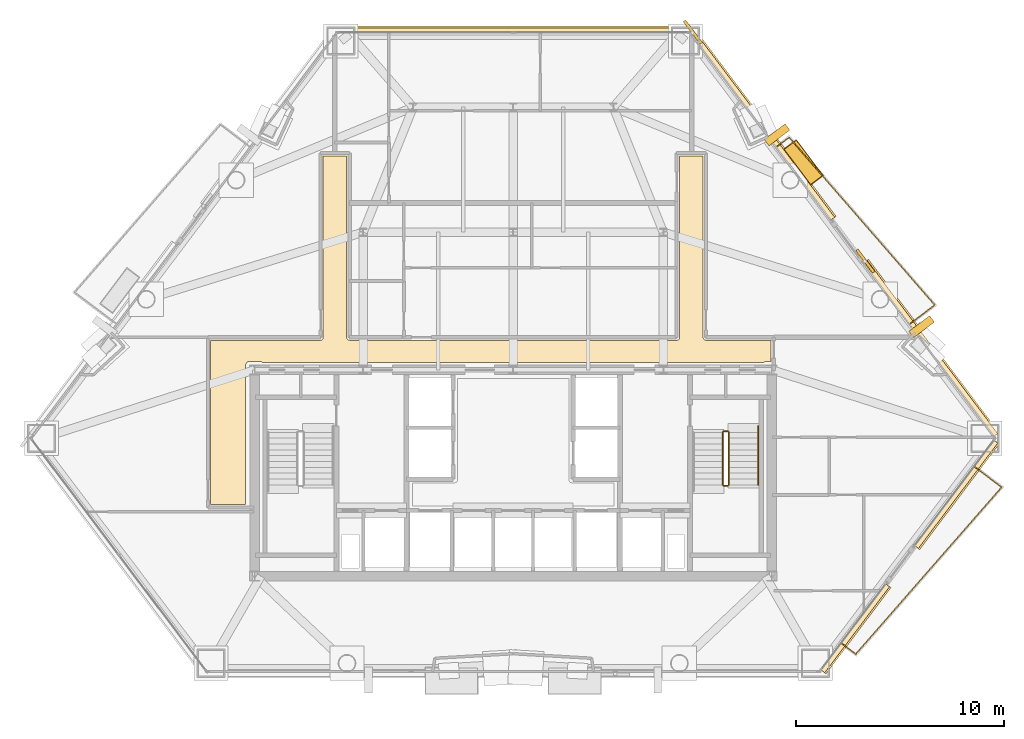
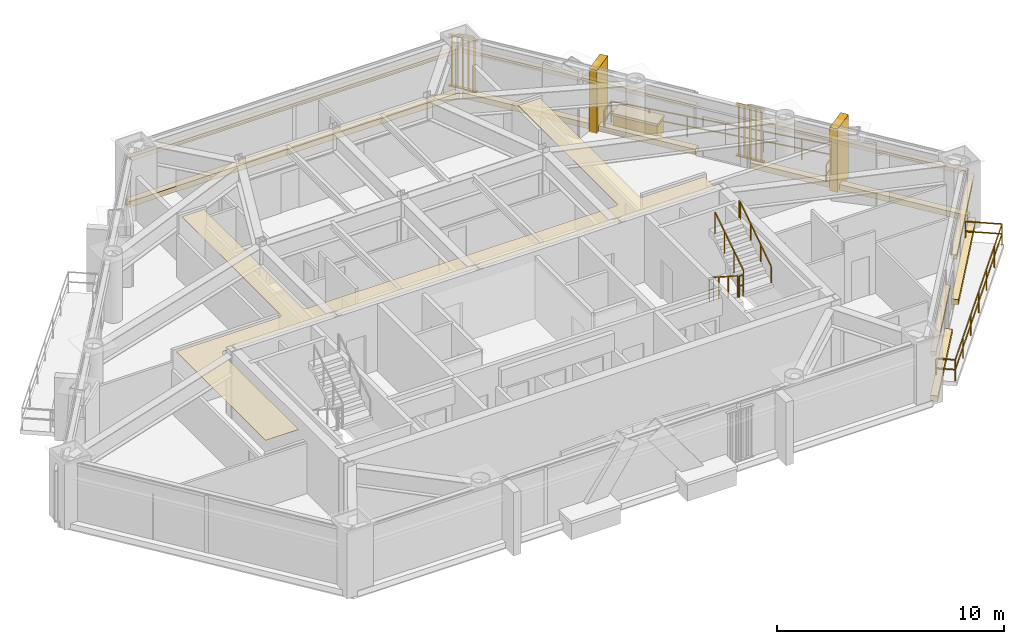
# One storey, part 11 of 11: 15 coverings, 7 railings, 2 shading devices.
"""IFC4 building model written with IfcOpenShell, lengths in metres."""

from ifc_helpers import new_model, si_unit, direction, frame, origin, origin_2d, place, context, subcontext, project, spatial, polyline, rectangle, outline, extrude, source, transform, mapped, material, layer, layer_set, type_object, type_shapes, element, save


model = new_model("IFC4")

# Units and contexts
model_context = context("Model", 3, precision=1e-05, world=origin(), true_north=direction((0.0, 1.0)))
body_context = subcontext(model_context, "Body", "Model", "MODEL_VIEW")
ifc_project = project(units=[si_unit("LENGTHUNIT", "METRE"), si_unit("AREAUNIT", "SQUARE_METRE"), si_unit("VOLUMEUNIT", "CUBIC_METRE"), si_unit("PLANEANGLEUNIT", "RADIAN"), si_unit("MASSUNIT", "GRAM", prefix="KILO")], contexts=[model_context])

# Site, building, storey
site_placement = place(None, origin())
site = spatial("IfcSite", under=ifc_project, at=site_placement, CompositionType="ELEMENT")
building_placement = place(site_placement, origin())
building = spatial("IfcBuilding", under=site, at=building_placement, Name="Talgorran Terracotta Tower", CompositionType="ELEMENT")
storey_placement = place(building_placement, frame((0.0, 0.0, 35.10009765625)))
storey = spatial("IfcBuildingStorey", under=building, at=storey_placement, Name="L08", CompositionType="ELEMENT", Elevation=35.10009765625)

# Coverings
ifc_material_1 = material(Name="Kiln-Fired Terracotta Ochre Ceramic", Category="masonry")
ifc_layer_1 = layer(ifc_material_1, 0.179931640625, Name="COV_BAGUETTE_TERRACOTTA_SCREEN")
ifc_layer_set_1 = layer_set([ifc_layer_1], Name="Kiln-Fired Terracotta Ochre Ceramic")
covering_type_1 = type_object("IfcCoveringType", Name="COV_BAGUETTE_TERRACOTTA_SCREEN", PredefinedType="CLADDING", material=ifc_layer_set_1)
covering_1_placement = place(storey_placement, frame((16.395263671875, -16.590576171875, 2.41015625), z_axis=(0.0, 0.0, 1.0), x_axis=(0.601801084241, 0.798646013579, 0.0)))
element("IfcCovering", 1, at=covering_1_placement, inside=storey, type_object=covering_type_1, Name="L08 Terracotta Baguette Solar Screen Assembly F30", PredefinedType="CLADDING", context=body_context, shape_type="SweptSolid", body=[
    extrude(rectangle(XDim=5.163330078125, YDim=0.260009765625, at=origin_2d()), origin(), (0.0, 0.0, 1.0), 0.219970703125),
])
covering_2_placement = place(storey_placement, frame((21.237060546875, -10.1650390625, 2.41015625), z_axis=(0.0, 0.0, 1.0), x_axis=(0.601815023152, 0.798635510047, 0.0)))
element("IfcCovering", 2, at=covering_2_placement, inside=storey, type_object=covering_type_1, Name="L08 Terracotta Baguette Solar Screen Assembly F31", PredefinedType="CLADDING", context=body_context, shape_type="SweptSolid", body=[
    extrude(rectangle(XDim=6.327392578125, YDim=0.260009765625, at=origin_2d()), origin(), (0.0, 0.0, 1.0), 0.219970703125),
])
covering_3_placement = place(storey_placement, frame((20.010986328125, -3.188720703125, 2.41015625), z_axis=(0.0, 0.0, 1.0), x_axis=(-0.601801084241, 0.798646013579, 0.0)))
element("IfcCovering", 3, at=covering_3_placement, inside=storey, type_object=covering_type_1, Name="L08 Terracotta Baguette Solar Screen Assembly F40", PredefinedType="CLADDING", context=body_context, shape_type="SweptSolid", body=[
    extrude(rectangle(XDim=10.401611328125, YDim=0.260009765625, at=origin_2d()), origin(), (0.0, 0.0, 1.0), 0.219970703125),
])
covering_4_placement = place(storey_placement, frame((11.962646484375, 7.491943359375, 2.41015625), z_axis=(0.0, 0.0, 1.0), x_axis=(-0.601815023152, 0.798635510047, 0.0)))
element("IfcCovering", 4, at=covering_4_placement, inside=storey, type_object=covering_type_1, Name="L08 Terracotta Baguette Solar Screen Assembly F41", PredefinedType="CLADDING", context=body_context, shape_type="SweptSolid", body=[
    extrude(rectangle(XDim=11.14599609375, YDim=0.260009765625, at=origin_2d()), origin(), (0.0, 0.0, 1.0), 0.219970703125),
])
covering_5_placement = place(storey_placement, frame((0.0, 12.0703125, 2.41015625), z_axis=(0.0, 0.0, 1.0), x_axis=(-1.0, 0.0, 0.0)))
element("IfcCovering", 5, at=covering_5_placement, inside=storey, type_object=covering_type_1, Name="L08 Terracotta Baguette Solar Screen Assembly F4", PredefinedType="CLADDING", context=body_context, shape_type="SweptSolid", body=[
    extrude(rectangle(XDim=16.78515625, YDim=0.260009765625, at=origin_2d()), origin(), (0.0, 0.0, 1.0), 0.219970703125),
])
ifc_material_2 = material(Name="Mineral Fibre Acoustic Tile")
ifc_layer_2 = layer(ifc_material_2, 0.02490234375, Name="COV_CEIL_ACOUSTIC")
ifc_layer_set_2 = layer_set([ifc_layer_2], Name="Mineral Fibre Acoustic Tile")
covering_type_2 = type_object("IfcCoveringType", Name="COV_CEIL_ACOUSTIC", PredefinedType="CEILING", material=ifc_layer_set_2)
covering_6_placement = place(storey_placement, frame((0.0, 0.0, 3.260009765625)))
element("IfcCovering", 6, at=covering_6_placement, inside=storey, type_object=covering_type_2, Name="CEIL-L08-2", PredefinedType="CEILING", context=body_context, shape_type="SweptSolid", body=[
    extrude(outline(polyline([(-12.78857421875, -3.87841796875), (-12.79541015625, -3.884521484375), (-12.803466796875, -3.893310546875), (-12.810302734375, -3.90283203125), (-12.81640625, -3.9130859375), (-12.820556640625, -3.920654296875), (-12.82568359375, -3.931396484375), (-12.82958984375, -3.9423828125), (-12.83251953125, -3.953857421875), (-12.833984375, -3.96533203125), (-12.834716796875, -3.97705078125), (-12.8349609375, -10.6650390625), (-14.514892578125, -10.6650390625), (-14.514892578125, -2.784912109375), (-9.25, -2.784912109375), (-9.23828125, -2.784423828125), (-9.226806640625, -2.78271484375), (-9.21533203125, -2.77978515625), (-9.20703125, -2.77734375), (-9.196044921875, -2.7734375), (-9.185302734375, -2.768310546875), (-9.17529296875, -2.762451171875), (-9.165771484375, -2.75537109375), (-9.156982421875, -2.74755859375), (-9.149169921875, -2.73876953125), (-9.1435546875, -2.73193359375), (-9.136474609375, -2.722412109375), (-9.13037109375, -2.71240234375), (-9.125244140625, -2.70166015625), (-9.121337890625, -2.690673828125), (-9.118408203125, -2.67919921875), (-9.11669921875, -2.66748046875), (-9.1162109375, -2.65576171875), (-9.114990234375, 6.06494140625), (-7.985107421875, 6.06494140625), (-7.985107421875, -2.64990234375), (-7.984375, -2.66162109375), (-7.982666015625, -2.67333984375), (-7.97998046875, -2.6845703125), (-7.977294921875, -2.69287109375), (-7.973388671875, -2.7041015625), (-7.968505859375, -2.714599609375), (-7.96240234375, -2.724853515625), (-7.955322265625, -2.734375), (-7.947509765625, -2.742919921875), (-7.938720703125, -2.7509765625), (-7.931884765625, -2.756591796875), (-7.922607421875, -2.763671875), (-7.912353515625, -2.769775390625), (-7.901611328125, -2.774658203125), (-7.890625, -2.77880859375), (-7.879150390625, -2.781494140625), (-7.867431640625, -2.783203125), (-7.855712890625, -2.783935546875), (7.85009765625, -2.784912109375), (7.86181640625, -2.784423828125), (7.873291015625, -2.78271484375), (7.884521484375, -2.77978515625), (7.892822265625, -2.77734375), (7.904052734375, -2.7734375), (7.914794921875, -2.768310546875), (7.9248046875, -2.762451171875), (7.934326171875, -2.75537109375), (7.943115234375, -2.74755859375), (7.950927734375, -2.73876953125), (7.95654296875, -2.73193359375), (7.963623046875, -2.722412109375), (7.9697265625, -2.71240234375), (7.974609375, -2.70166015625), (7.978759765625, -2.690673828125), (7.981689453125, -2.67919921875), (7.9833984375, -2.66748046875), (7.98388671875, -2.65576171875), (7.985107421875, 6.06494140625), (9.114990234375, 6.06494140625), (9.114990234375, -2.64990234375), (9.115478515625, -2.66162109375), (9.1171875, -2.67333984375), (9.1201171875, -2.6845703125), (9.12255859375, -2.69287109375), (9.12646484375, -2.7041015625), (9.131591796875, -2.714599609375), (9.1376953125, -2.724853515625), (9.14453125, -2.734375), (9.152587890625, -2.742919921875), (9.1611328125, -2.7509765625), (9.16796875, -2.756591796875), (9.177490234375, -2.763671875), (9.1875, -2.769775390625), (9.1982421875, -2.774658203125), (9.20947265625, -2.77880859375), (9.220703125, -2.781494140625), (9.232421875, -2.783203125), (9.244384765625, -2.783935546875), (12.364990234375, -2.784912109375), (12.364990234375, -3.80908203125), (12.1201171875, -3.80908203125), (12.108154296875, -3.8095703125), (12.0966796875, -3.811279296875), (12.085205078125, -3.814208984375), (12.07421875, -3.818115234375), (12.0634765625, -3.8232421875), (12.05322265625, -3.8291015625), (12.0439453125, -3.836181640625), (12.03515625, -3.843994140625), (12.034423828125, -3.844970703125), (7.432861328125, -3.844970703125), (6.968017578125, -3.843017578125), (6.967529296875, -3.843017578125), (0.232666015625, -3.844970703125), (-0.23193359375, -3.843017578125), (-0.232421875, -3.843017578125), (-6.96728515625, -3.844970703125), (-7.431884765625, -3.843017578125), (-7.4326171875, -3.843017578125), (-12.034423828125, -3.844970703125), (-12.03515625, -3.843994140625), (-12.0439453125, -3.836181640625), (-12.05322265625, -3.8291015625), (-12.0634765625, -3.8232421875), (-12.07421875, -3.818115234375), (-12.085205078125, -3.814208984375), (-12.0966796875, -3.811279296875), (-12.108154296875, -3.8095703125), (-12.1201171875, -3.80908203125), (-12.679931640625, -3.80908203125), (-12.69189453125, -3.8095703125), (-12.703369140625, -3.811279296875), (-12.71484375, -3.814208984375), (-12.725830078125, -3.818115234375), (-12.736572265625, -3.8232421875), (-12.74658203125, -3.8291015625), (-12.756103515625, -3.836181640625), (-12.764892578125, -3.843994140625), (-12.772705078125, -3.852783203125), (-12.77978515625, -3.8623046875), (-12.785888671875, -3.872314453125), (-12.78857421875, -3.87841796875)])), origin(), (0.0, 0.0, 1.0), 0.019775390625),
])
ifc_material_3 = material(Name="Honed Limestone and Terracotta Planter", Category="masonry")
ifc_layer_3 = layer(ifc_material_3, 0.1201171875, Name="COV_PLANTER_BOX")
ifc_layer_set_3 = layer_set([ifc_layer_3], Name="Honed Limestone and Terracotta Planter")
covering_type_3 = type_object("IfcCoveringType", Name="COV_PLANTER_BOX", PredefinedType="CLADDING", material=ifc_layer_set_3)
covering_7_placement = place(storey_placement, frame((13.925048828125, 5.75, -0.02001953125), z_axis=(0.0, 0.0, 1.0), x_axis=(-0.601815023152, 0.798635510047, 0.0)))
element("IfcCovering", 7, at=covering_7_placement, inside=storey, type_object=covering_type_3, Name="L08 Staggered Balcony Planter Box BAL-NE", PredefinedType="CLADDING", context=body_context, shape_type="SweptSolid", body=[
    extrude(rectangle(XDim=2.10009765625, YDim=0.719970703125, at=origin_2d()), origin(), (0.0, 0.0, 1.0), 0.860107421875),
])
ifc_material_4 = material(Name="Kiln-Fired Terracotta Planter Rim", Category="masonry")
ifc_layer_4 = layer(ifc_material_4, 0.10009765625, Name="COV_PLANTER_RIM")
ifc_layer_set_4 = layer_set([ifc_layer_4], Name="Kiln-Fired Terracotta Planter Rim")
covering_type_4 = type_object("IfcCoveringType", Name="COV_PLANTER_RIM", PredefinedType="CLADDING", material=ifc_layer_set_4)
covering_8_placement = place(storey_placement, frame((13.925048828125, 5.75, 0.7998046875), z_axis=(0.0, 0.0, 1.0), x_axis=(-0.601815023152, 0.798635510047, 0.0)))
element("IfcCovering", 8, at=covering_8_placement, inside=storey, type_object=covering_type_4, Name="L08 Balcony Planter Terracotta Rim BAL-NE", PredefinedType="CLADDING", context=body_context, shape_type="SweptSolid", body=[
    extrude(rectangle(XDim=2.179931640625, YDim=0.780029296875, at=origin_2d()), origin(), (0.0, 0.0, 1.0), 0.1201171875),
])
ifc_material_5 = material(Name="Honed Limestone Cladding", Category="masonry")
ifc_layer_5 = layer(ifc_material_5, 0.094970703125, Name="COV_PORTAL_LIME")
ifc_layer_set_5 = layer_set([ifc_layer_5], Name="Honed Limestone Cladding")
covering_type_5 = type_object("IfcCoveringType", Name="COV_PORTAL_LIME", PredefinedType="CLADDING", material=ifc_layer_set_5)
covering_9_placement = place(storey_placement, frame((16.427001953125, -16.614501953125, -0.0400390625), z_axis=(0.0, 0.0, 1.0), x_axis=(0.601801084241, 0.798646013579, 0.0)))
element("IfcCovering", 9, at=covering_9_placement, inside=storey, type_object=covering_type_5, Name="L08 Striped Postmodern Portal Cladding Band F30", PredefinedType="CLADDING", context=body_context, shape_type="SweptSolid", body=[
    extrude(rectangle(XDim=5.183349609375, YDim=0.340087890625, at=origin_2d()), origin(), (0.0, 0.0, 1.0), 0.300048828125),
])
covering_10_placement = place(storey_placement, frame((21.268798828125, -10.189208984375, -0.0400390625), z_axis=(0.0, 0.0, 1.0), x_axis=(0.601815023152, 0.798635510047, 0.0)))
element("IfcCovering", 10, at=covering_10_placement, inside=storey, type_object=covering_type_5, Name="L08 Striped Postmodern Portal Cladding Band F31", PredefinedType="CLADDING", context=body_context, shape_type="SweptSolid", body=[
    extrude(rectangle(XDim=6.347412109375, YDim=0.340087890625, at=origin_2d()), origin(), (0.0, 0.0, 1.0), 0.300048828125),
])
covering_11_placement = place(storey_placement, frame((20.04296875, -3.164794921875, -0.0400390625), z_axis=(0.0, 0.0, 1.0), x_axis=(-0.601801084241, 0.798646013579, 0.0)))
element("IfcCovering", 11, at=covering_11_placement, inside=storey, type_object=covering_type_5, Name="L08 Striped Postmodern Portal Cladding Band F40", PredefinedType="CLADDING", context=body_context, shape_type="SweptSolid", body=[
    extrude(rectangle(XDim=10.421630859375, YDim=0.340087890625, at=origin_2d()), origin(), (0.0, 0.0, 1.0), 0.300048828125),
])
covering_12_placement = place(storey_placement, frame((11.994384765625, 7.51611328125, -0.0400390625), z_axis=(0.0, 0.0, 1.0), x_axis=(-0.601815023152, 0.798635510047, 0.0)))
element("IfcCovering", 12, at=covering_12_placement, inside=storey, type_object=covering_type_5, Name="L08 Striped Postmodern Portal Cladding Band F41", PredefinedType="CLADDING", context=body_context, shape_type="SweptSolid", body=[
    extrude(rectangle(XDim=11.166015625, YDim=0.340087890625, at=origin_2d()), origin(), (0.0, 0.0, 1.0), 0.300048828125),
])
covering_13_placement = place(storey_placement, frame((0.0, 12.1103515625, -0.0400390625), z_axis=(0.0, 0.0, 1.0), x_axis=(-1.0, 0.0, 0.0)))
element("IfcCovering", 13, at=covering_13_placement, inside=storey, type_object=covering_type_5, Name="L08 Striped Postmodern Portal Cladding Band F4", PredefinedType="CLADDING", context=body_context, shape_type="SweptSolid", body=[
    extrude(rectangle(XDim=16.80517578125, YDim=0.340087890625, at=origin_2d()), origin(), (0.0, 0.0, 1.0), 0.300048828125),
])
covering_14_placement = place(storey_placement, frame((12.656005859375, 7.070068359375, -0.050048828125), z_axis=(0.0, 0.0, 1.0), x_axis=(-0.601815023152, 0.798635510047, 0.0)))
element("IfcCovering", 14, at=covering_14_placement, inside=storey, type_object=covering_type_5, Name="L08 White Striped Portal Fin F3-2", PredefinedType="CLADDING", context=body_context, shape_type="SweptSolid", body=[
    extrude(rectangle(XDim=0.3798828125, YDim=1.25, at=origin_2d()), origin(), (0.0, 0.0, 1.0), 3.39990234375),
])
ifc_material_6 = material(Name="Kiln-Fired Terracotta Cladding", Category="masonry")
ifc_layer_6 = layer(ifc_material_6, 0.090087890625, Name="COV_PORTAL_TERRA")
ifc_layer_set_6 = layer_set([ifc_layer_6], Name="Kiln-Fired Terracotta Cladding")
covering_type_6 = type_object("IfcCoveringType", Name="COV_PORTAL_TERRA", PredefinedType="CLADDING", material=ifc_layer_set_6)
covering_15_placement = place(storey_placement, frame((19.591064453125, -2.133056640625, -0.050048828125), z_axis=(0.0, 0.0, 1.0), x_axis=(-0.601815023152, 0.798635510047, 0.0)))
element("IfcCovering", 15, at=covering_15_placement, inside=storey, type_object=covering_type_6, Name="L08 Terracotta Striped Portal Fin F3-1", PredefinedType="CLADDING", context=body_context, shape_type="SweptSolid", body=[
    extrude(rectangle(XDim=0.3798828125, YDim=1.25, at=origin_2d()), origin(), (0.0, 0.0, 1.0), 3.39990234375),
])

# Railings
ifc_material_7 = material(Name="Laminated Glass and Stainless Steel 316", Category="steel")
railing_type_1 = type_object("IfcRailingType", Name="RL_BALCONY_1150", PredefinedType="BALUSTRADE", material=ifc_material_7)
railing_1_placement = place(storey_placement, frame((19.01806640625, -2.004150390625, 0.0)))
element("IfcRailing", 16, at=railing_1_placement, inside=storey, type_object=railing_type_1, Name="RL-L08-BAL-BAL-NE", PredefinedType="BALUSTRADE", context=body_context, shape_type="SweptSolid", body=[
    extrude(rectangle(XDim=0.048095703125, YDim=0.048095703125, at=origin_2d()), frame((0.0, 0.0, 1.1259765625), z_axis=(0.798580801759, 0.601887616638, 0.0), x_axis=(-0.601887616638, 0.798580801759, 0.0)), (0.0, 0.0, 1.0), 1.50927734375),
    extrude(rectangle(XDim=0.048095703125, YDim=0.048095703125, at=origin_2d()), frame((0.0, 0.0, 0.597900390625), z_axis=(0.798580801759, 0.601887616638, 0.0), x_axis=(-0.601887616638, 0.798580801759, 0.0)), (0.0, 0.0, 1.0), 1.50927734375),
    extrude(rectangle(XDim=0.048095703125, YDim=0.048095703125, at=origin_2d()), frame((1.205322265625, 0.908447265625, 1.1259765625), z_axis=(-0.655872284284, 0.754871874365, 0.0), x_axis=(-0.754871874365, -0.655872284284, 0.0)), (0.0, 0.0, 1.0), 10.653564453125),
    extrude(rectangle(XDim=0.048095703125, YDim=0.048095703125, at=origin_2d()), frame((1.205322265625, 0.908447265625, 0.597900390625), z_axis=(-0.655872284284, 0.754871874365, 0.0), x_axis=(-0.754871874365, -0.655872284284, 0.0)), (0.0, 0.0, 1.0), 10.653564453125),
    extrude(rectangle(XDim=0.048095703125, YDim=0.048095703125, at=origin_2d()), frame((-5.781982421875, 8.950439453125, 1.1259765625), z_axis=(-0.798664269991, -0.60177685552, 0.0), x_axis=(0.60177685552, -0.798664269991, 0.0)), (0.0, 0.0, 1.0), 0.768798828125),
    extrude(rectangle(XDim=0.048095703125, YDim=0.048095703125, at=origin_2d()), frame((-5.781982421875, 8.950439453125, 0.597900390625), z_axis=(-0.798664269991, -0.60177685552, 0.0), x_axis=(0.60177685552, -0.798664269991, 0.0)), (0.0, 0.0, 1.0), 0.768798828125),
    extrude(rectangle(XDim=0.0419921875, YDim=0.0419921875, at=origin_2d()), origin(), (0.0, 0.0, 1.0), 1.101806640625),
    extrude(rectangle(XDim=0.0419921875, YDim=0.0419921875, at=origin_2d()), frame((1.205322265625, 0.908447265625, 0.0)), (0.0, 0.0, 1.0), 1.101806640625),
    extrude(rectangle(XDim=0.0419921875, YDim=0.0419921875, at=origin_2d()), frame((0.040771484375, 2.248779296875, 0.0)), (0.0, 0.0, 1.0), 1.101806640625),
    extrude(rectangle(XDim=0.0419921875, YDim=0.0419921875, at=origin_2d()), frame((-1.123779296875, 3.589111328125, 0.0)), (0.0, 0.0, 1.0), 1.101806640625),
    extrude(rectangle(XDim=0.0419921875, YDim=0.0419921875, at=origin_2d()), frame((-2.288330078125, 4.929443359375, 0.0)), (0.0, 0.0, 1.0), 1.101806640625),
    extrude(rectangle(XDim=0.0419921875, YDim=0.0419921875, at=origin_2d()), frame((-3.452880859375, 6.269775390625, 0.0)), (0.0, 0.0, 1.0), 1.101806640625),
    extrude(rectangle(XDim=0.0419921875, YDim=0.0419921875, at=origin_2d()), frame((-4.617431640625, 7.610107421875, 0.0)), (0.0, 0.0, 1.0), 1.101806640625),
    extrude(rectangle(XDim=0.0419921875, YDim=0.0419921875, at=origin_2d()), frame((-5.781982421875, 8.950439453125, 0.0)), (0.0, 0.0, 1.0), 1.101806640625),
    extrude(rectangle(XDim=0.0419921875, YDim=0.0419921875, at=origin_2d()), frame((-6.39599609375, 8.48779296875, 0.0)), (0.0, 0.0, 1.0), 1.101806640625),
])
railing_2_placement = place(storey_placement, frame((15.74609375, -17.31884765625, 0.0)))
element("IfcRailing", 17, at=railing_2_placement, inside=storey, type_object=railing_type_1, Name="RL-L08-BAL-BAL-SE", PredefinedType="BALUSTRADE", context=body_context, shape_type="SweptSolid", body=[
    extrude(rectangle(XDim=0.048095703125, YDim=0.048095703125, at=origin_2d()), frame((0.0, 0.0, 1.1259765625), z_axis=(0.798636628483, -0.601813538935, 0.0), x_axis=(0.601813538935, 0.798636628483, 0.0)), (0.0, 0.0, 1.0), 0.86083984375),
    extrude(rectangle(XDim=0.048095703125, YDim=0.048095703125, at=origin_2d()), frame((0.0, 0.0, 0.597900390625), z_axis=(0.798636628483, -0.601813538935, 0.0), x_axis=(0.601813538935, 0.798636628483, 0.0)), (0.0, 0.0, 1.0), 0.86083984375),
    extrude(rectangle(XDim=0.048095703125, YDim=0.048095703125, at=origin_2d()), frame((0.6875, -0.51806640625, 1.1259765625), z_axis=(0.658224907163, 0.752821341083, 0.0), x_axis=(-0.752821341083, 0.658224907163, 0.0)), (0.0, 0.0, 1.0), 10.630615234375),
    extrude(rectangle(XDim=0.048095703125, YDim=0.048095703125, at=origin_2d()), frame((0.6875, -0.51806640625, 0.597900390625), z_axis=(0.658224907163, 0.752821341083, 0.0), x_axis=(-0.752821341083, 0.658224907163, 0.0)), (0.0, 0.0, 1.0), 10.630615234375),
    extrude(rectangle(XDim=0.048095703125, YDim=0.048095703125, at=origin_2d()), frame((7.684814453125, 7.48486328125, 1.1259765625), z_axis=(-0.798616262436, 0.601840564745, 0.0), x_axis=(-0.601840564745, -0.798616262436, 0.0)), (0.0, 0.0, 1.0), 1.6328125),
    extrude(rectangle(XDim=0.048095703125, YDim=0.048095703125, at=origin_2d()), frame((7.684814453125, 7.48486328125, 0.597900390625), z_axis=(-0.798616262436, 0.601840564745, 0.0), x_axis=(-0.601840564745, -0.798616262436, 0.0)), (0.0, 0.0, 1.0), 1.6328125),
    extrude(rectangle(XDim=0.0419921875, YDim=0.0419921875, at=origin_2d()), origin(), (0.0, 0.0, 1.0), 1.101806640625),
    extrude(rectangle(XDim=0.0419921875, YDim=0.0419921875, at=origin_2d()), frame((0.6875, -0.51806640625, 0.0)), (0.0, 0.0, 1.0), 1.101806640625),
    extrude(rectangle(XDim=0.0419921875, YDim=0.0419921875, at=origin_2d()), frame((1.853759765625, 0.815673828125, 0.0)), (0.0, 0.0, 1.0), 1.101806640625),
    extrude(rectangle(XDim=0.0419921875, YDim=0.0419921875, at=origin_2d()), frame((3.02001953125, 2.149658203125, 0.0)), (0.0, 0.0, 1.0), 1.101806640625),
    extrude(rectangle(XDim=0.0419921875, YDim=0.0419921875, at=origin_2d()), frame((4.18603515625, 3.4833984375, 0.0)), (0.0, 0.0, 1.0), 1.101806640625),
    extrude(rectangle(XDim=0.0419921875, YDim=0.0419921875, at=origin_2d()), frame((5.352294921875, 4.817138671875, 0.0)), (0.0, 0.0, 1.0), 1.101806640625),
    extrude(rectangle(XDim=0.0419921875, YDim=0.0419921875, at=origin_2d()), frame((6.5185546875, 6.151123046875, 0.0)), (0.0, 0.0, 1.0), 1.101806640625),
    extrude(rectangle(XDim=0.0419921875, YDim=0.0419921875, at=origin_2d()), frame((7.684814453125, 7.48486328125, 0.0)), (0.0, 0.0, 1.0), 1.101806640625),
    extrude(rectangle(XDim=0.0419921875, YDim=0.0419921875, at=origin_2d()), frame((6.380859375, 8.467529296875, 0.0)), (0.0, 0.0, 1.0), 1.101806640625),
])
ifc_material_8 = material(Name="Steel S355 (300PLUS)", Category="steel")
railing_type_2 = type_object("IfcRailingType", Name="RL_HANDRAIL_920", PredefinedType="HANDRAIL", material=ifc_material_8)
railing_3_placement = place(storey_placement, frame((11.75, -9.719970703125, 1.97998046875)))
element("IfcRailing", 18, at=railing_3_placement, inside=storey, type_object=railing_type_2, Name="L08 ST-02 stair handrail 2", PredefinedType="HANDRAIL", context=body_context, shape_type="SweptSolid", body=[
    extrude(rectangle(XDim=0.048095703125, YDim=0.048095703125, at=origin_2d()), frame((0.0, 0.0, 0.89599609375), z_axis=(0.0, 0.832073444223, 0.554665469827), x_axis=(-1.0, 0.0, 0.0)), (0.0, 0.0, 1.0), 3.244873046875),
    extrude(rectangle(XDim=0.048095703125, YDim=0.048095703125, at=origin_2d()), frame((0.0, 2.699951171875, 2.69580078125), z_axis=(0.0, 1.0, 0.0), x_axis=(-1.0, 0.0, 0.0)), (0.0, 0.0, 1.0), 0.1201171875),
    extrude(rectangle(XDim=0.0419921875, YDim=0.0419921875, at=origin_2d()), origin(), (0.0, 0.0, 1.0), 0.871826171875),
    extrude(rectangle(XDim=0.0419921875, YDim=0.0419921875, at=origin_2d()), frame((0.0, 0.89990234375, 0.599853515625)), (0.0, 0.0, 1.0), 0.871826171875),
    extrude(rectangle(XDim=0.0419921875, YDim=0.0419921875, at=origin_2d()), frame((0.0, 1.800048828125, 1.199951171875)), (0.0, 0.0, 1.0), 0.871826171875),
    extrude(rectangle(XDim=0.0419921875, YDim=0.0419921875, at=origin_2d()), frame((0.0, 2.699951171875, 1.7998046875)), (0.0, 0.0, 1.0), 0.871826171875),
    extrude(rectangle(XDim=0.0419921875, YDim=0.0419921875, at=origin_2d()), frame((0.0, 2.820068359375, 1.7998046875)), (0.0, 0.0, 1.0), 0.871826171875),
])
railing_type_3 = type_object("IfcRailingType", Name="RL_STAIR_GUARD", PredefinedType="GUARDRAIL", material=ifc_material_8)
railing_4_placement = place(storey_placement, frame((10.050048828125, -7.199951171875, 0.179931640625)))
element("IfcRailing", 19, at=railing_4_placement, inside=storey, type_object=railing_type_3, Name="L08 ST-02 stair guard 1", PredefinedType="GUARDRAIL", context=body_context, shape_type="SweptSolid", body=[
    extrude(rectangle(XDim=0.048095703125, YDim=0.048095703125, at=origin_2d()), frame((0.0, 0.0, 1.15576171875), z_axis=(0.0, -0.841199657755, 0.540724639528), x_axis=(1.0, 0.0, 0.0)), (0.0, 0.0, 1.0), 2.995849609375),
    extrude(rectangle(XDim=0.0419921875, YDim=0.0419921875, at=origin_2d()), origin(), (0.0, 0.0, 1.0), 1.1318359375),
    extrude(rectangle(XDim=0.0419921875, YDim=0.0419921875, at=origin_2d()), frame((0.0, -0.840087890625, 0.5400390625)), (0.0, 0.0, 1.0), 1.1318359375),
    extrude(rectangle(XDim=0.0419921875, YDim=0.0419921875, at=origin_2d()), frame((0.0, -1.679931640625, 1.079833984375)), (0.0, 0.0, 1.0), 1.1318359375),
    extrude(rectangle(XDim=0.0419921875, YDim=0.0419921875, at=origin_2d()), frame((0.0, -2.52001953125, 1.619873046875)), (0.0, 0.0, 1.0), 1.1318359375),
])
railing_5_placement = place(storey_placement, frame((10.10009765625, -9.77001953125, 1.7998046875)))
element("IfcRailing", 20, at=railing_5_placement, inside=storey, type_object=railing_type_3, Name="L08 ST-02 stair guard 2", PredefinedType="GUARDRAIL", context=body_context, shape_type="SweptSolid", body=[
    extrude(rectangle(XDim=0.048095703125, YDim=0.048095703125, at=origin_2d()), frame((0.0, 0.0, 1.15576171875), z_axis=(1.0, 0.0, 0.0), x_axis=(0.0, 1.0, 0.0)), (0.0, 0.0, 1.0), 0.199951171875),
    extrude(rectangle(XDim=0.048095703125, YDim=0.048095703125, at=origin_2d()), frame((0.0, 0.0, 0.613525390625), z_axis=(1.0, 0.0, 0.0), x_axis=(0.0, 1.0, 0.0)), (0.0, 0.0, 1.0), 0.199951171875),
    extrude(rectangle(XDim=0.0419921875, YDim=0.0419921875, at=origin_2d()), origin(), (0.0, 0.0, 1.0), 1.1318359375),
    extrude(rectangle(XDim=0.0419921875, YDim=0.0419921875, at=origin_2d()), frame((0.199951171875, 0.0, 0.0)), (0.0, 0.0, 1.0), 1.1318359375),
])
railing_6_placement = place(storey_placement, frame((10.35009765625, -9.719970703125, 1.97998046875)))
element("IfcRailing", 21, at=railing_6_placement, inside=storey, type_object=railing_type_3, Name="L08 ST-02 stair guard 3", PredefinedType="GUARDRAIL", context=body_context, shape_type="SweptSolid", body=[
    extrude(rectangle(XDim=0.048095703125, YDim=0.048095703125, at=origin_2d()), frame((0.0, 0.0, 1.15576171875), z_axis=(0.0, 0.841199657755, 0.540724639528), x_axis=(-1.0, 0.0, 0.0)), (0.0, 0.0, 1.0), 2.995849609375),
    extrude(rectangle(XDim=0.0419921875, YDim=0.0419921875, at=origin_2d()), origin(), (0.0, 0.0, 1.0), 1.1318359375),
    extrude(rectangle(XDim=0.0419921875, YDim=0.0419921875, at=origin_2d()), frame((0.0, 0.840087890625, 0.5400390625)), (0.0, 0.0, 1.0), 1.1318359375),
    extrude(rectangle(XDim=0.0419921875, YDim=0.0419921875, at=origin_2d()), frame((0.0, 1.679931640625, 1.079833984375)), (0.0, 0.0, 1.0), 1.1318359375),
    extrude(rectangle(XDim=0.0419921875, YDim=0.0419921875, at=origin_2d()), frame((0.0, 2.52001953125, 1.619873046875)), (0.0, 0.0, 1.0), 1.1318359375),
])
railing_7_placement = place(storey_placement, frame((10.10009765625, -7.14990234375, 0.0)))
element("IfcRailing", 22, at=railing_7_placement, inside=storey, type_object=railing_type_3, Name="L08 ST-02 stair guard 4", PredefinedType="GUARDRAIL", context=body_context, shape_type="SweptSolid", body=[
    extrude(rectangle(XDim=0.048095703125, YDim=0.048095703125, at=origin_2d()), frame((0.0, 0.0, 1.15576171875), z_axis=(1.0, 0.0, 0.0), x_axis=(0.0, 1.0, 0.0)), (0.0, 0.0, 1.0), 0.199951171875),
    extrude(rectangle(XDim=0.048095703125, YDim=0.048095703125, at=origin_2d()), frame((0.0, 0.0, 0.613525390625), z_axis=(1.0, 0.0, 0.0), x_axis=(0.0, 1.0, 0.0)), (0.0, 0.0, 1.0), 0.199951171875),
    extrude(rectangle(XDim=0.0419921875, YDim=0.0419921875, at=origin_2d()), origin(), (0.0, 0.0, 1.0), 1.1318359375),
    extrude(rectangle(XDim=0.0419921875, YDim=0.0419921875, at=origin_2d()), frame((0.199951171875, 0.0, 0.0)), (0.0, 0.0, 1.0), 1.1318359375),
])

# Shading devices
ifc_material_9 = material(Name="Kiln-Fired Terracotta", Category="masonry")
ifc_layer_7 = layer(ifc_material_9, 0.139892578125, Name="SHD_BAGUETTE_TERRA")
ifc_layer_set_7 = layer_set([ifc_layer_7], Name="Kiln-Fired Terracotta")
shading_device_type = type_object("IfcShadingDeviceType", Name="SHD_BAGUETTE_TERRA", PredefinedType="JALOUSIE", material=ifc_layer_set_7)
shared_shape = source(origin(), body_context, "Body", "SweptSolid", [
    extrude(rectangle(XDim=1.35009765625, YDim=0.139892578125, at=origin_2d()), origin(), (0.0, 0.0, 1.0), 0.054931640625),
    extrude(rectangle(XDim=1.35009765625, YDim=0.139892578125, at=origin_2d()), frame((0.0, 0.0, 2.7451171875)), (0.0, 0.0, 1.0), 0.054931640625),
    extrude(rectangle(XDim=0.074951171875, YDim=0.139892578125, at=origin_2d()), frame((-0.53515625, 0.0, 0.054931640625), z_axis=(0.0, 0.0, 1.0), x_axis=(0.866025403784, 0.5, 0.0)), (0.0, 0.0, 1.0), 2.690185546875),
    extrude(rectangle(XDim=0.074951171875, YDim=0.139892578125, at=origin_2d()), frame((-0.267578125, 0.0, 0.054931640625), z_axis=(0.0, 0.0, 1.0), x_axis=(0.866025403784, 0.5, 0.0)), (0.0, 0.0, 1.0), 2.690185546875),
    extrude(rectangle(XDim=0.074951171875, YDim=0.139892578125, at=origin_2d()), frame((0.0, 0.0, 0.054931640625), z_axis=(0.0, 0.0, 1.0), x_axis=(0.866025403784, 0.5, 0.0)), (0.0, 0.0, 1.0), 2.690185546875),
    extrude(rectangle(XDim=0.074951171875, YDim=0.139892578125, at=origin_2d()), frame((0.267578125, 0.0, 0.054931640625), z_axis=(0.0, 0.0, 1.0), x_axis=(0.866025403784, 0.5, 0.0)), (0.0, 0.0, 1.0), 2.690185546875),
    extrude(rectangle(XDim=0.074951171875, YDim=0.139892578125, at=origin_2d()), frame((0.53515625, 0.0, 0.054931640625), z_axis=(0.0, 0.0, 1.0), x_axis=(0.866025403784, 0.5, 0.0)), (0.0, 0.0, 1.0), 2.690185546875),
])
type_shapes(shading_device_type, [shared_shape])
for number, where, z_axis, x_axis, name in (
    (23, (16.890625, 1.018798828125, 0.35009765625), (0.0, 0.0, 1.0), (-0.601801084241, 0.798646013579, 0.0), "BAG-L08-F40"),
    (24, (8.6181640625, 11.996826171875, 0.35009765625), (0.0, 0.0, 1.0), (-0.601815023152, 0.798635510047, 0.0), "BAG-L08-F41"),
):
    element("IfcShadingDevice", number, at=place(storey_placement, frame(where, z_axis=z_axis, x_axis=x_axis)), inside=storey, type_object=shading_device_type, Name=name, PredefinedType="JALOUSIE", context=body_context, shape_type="MappedRepresentation", body=[
        mapped(shared_shape, transform((0.0, 0.0, 0.0), scale=1.0)),
    ])

save(model, "model.ifc")
